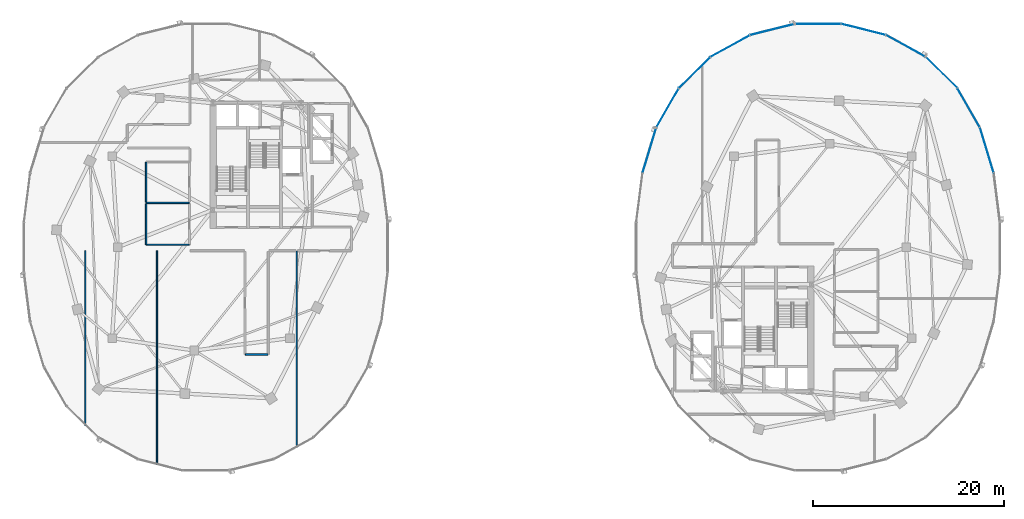
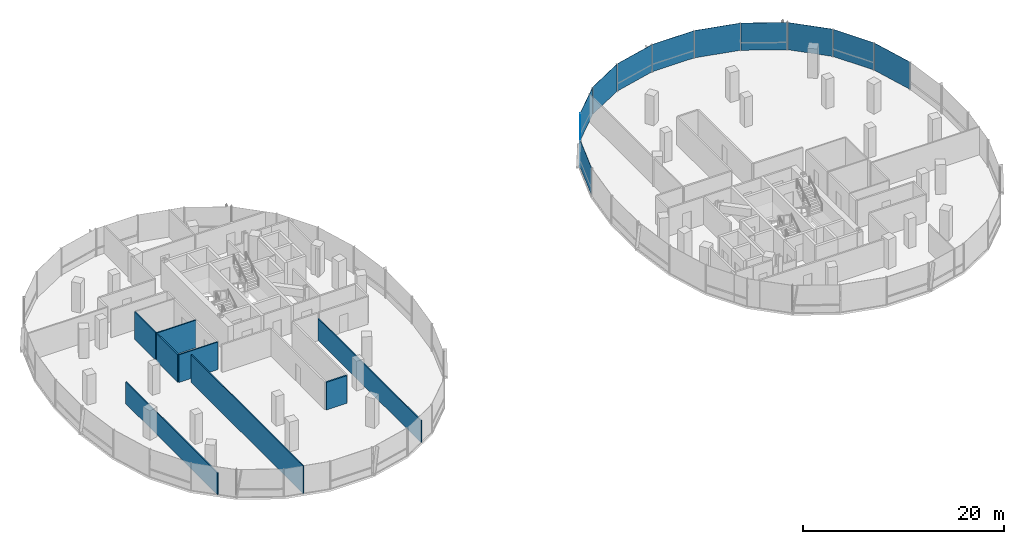
# One storey, part 11 of 22: 11 plates, 8 walls, 2 elements without a shape of their own.
"""IFC4 building model written with IfcOpenShell, lengths in metres."""

from ifc_helpers import new_model, si_unit, direction, frame, frame_2d, origin, origin_2d, place, context, subcontext, project, spatial, rectangle, extrude, material, layer, layer_set, type_object, element, aggregate, save


model = new_model("IFC4")

# Units and contexts
model_context = context("Model", 3, precision=1e-05, world=origin(), true_north=direction((0.0, 1.0)))
body_context = subcontext(model_context, "Body", "Model", "MODEL_VIEW")
ifc_project = project(units=[si_unit("LENGTHUNIT", "METRE"), si_unit("AREAUNIT", "SQUARE_METRE"), si_unit("VOLUMEUNIT", "CUBIC_METRE"), si_unit("PLANEANGLEUNIT", "RADIAN"), si_unit("MASSUNIT", "GRAM", prefix="KILO"), si_unit("THERMODYNAMICTEMPERATUREUNIT", "KELVIN"), si_unit("POWERUNIT", "WATT")], contexts=[model_context])

# Site, building, storey
site_placement = place(None, origin())
site = spatial("IfcSite", under=ifc_project, at=site_placement, CompositionType="ELEMENT")
building_placement = place(site_placement, origin())
building = spatial("IfcBuilding", under=site, at=building_placement, Name="Cundina Bronze Exchange", CompositionType="ELEMENT")
storey_placement = place(building_placement, frame((0.0, 0.0, 140.39990234375)))
storey = spatial("IfcBuildingStorey", under=building, at=storey_placement, Name="L36", CompositionType="ELEMENT", Elevation=140.39990234375)

# Curtain wall, plates
ifc_material_1 = material(Name="Anodised Bronze Aluminium 6063-T6", Category="aluminium")
curtain_wall_type = type_object("IfcCurtainWallType", Name="CWS-WST-PIN", PredefinedType="NOTDEFINED", material=ifc_material_1)
curtain_wall_1_placement = place(storey_placement, origin())
curtain_wall_1 = element("IfcCurtainWall", 1, at=curtain_wall_1_placement, inside=storey, type_object=curtain_wall_type, Name="L36 CW-04 Curtain Wall Run CWR-L36-E1", PredefinedType="NOTDEFINED")
ifc_material_2 = material(Name="Heat-Strengthened Solar-Control Bronze Safety Glass 28mm", Category="glass")
ifc_layer_1 = layer(ifc_material_2, 0.028076171875, Name="Heat-Strengthened Solar-Control Bronze Safety Glass 28mm", Category="glass")
ifc_layer_set_1 = layer_set([ifc_layer_1], Name="Heat-Strengthened Solar-Control Bronze Safety Glass 28mm")
plate_type_1 = type_object("IfcPlateType", Name="PLT-GLZ-VIS28", PredefinedType="CURTAIN_PANEL", material=ifc_layer_set_1)
plate_1_placement = place(storey_placement, frame((49.63330078125, 10.14208984375, 0.02001953125), z_axis=(0.0, 0.0, 1.0), x_axis=(-0.290050843957, 0.957011237092, 0.0)))
plate_1 = element("IfcPlate", 2, at=plate_1_placement, type_object=plate_type_1, Name="CW-04 Glazed Panel 2", PredefinedType="CURTAIN_PANEL", context=body_context, shape_type="SweptSolid", body=[
    extrude(rectangle(XDim=4.885009765625, YDim=0.028076171875, at=origin_2d()), origin(), (0.0, 0.0, 1.0), 3.320068359375),
])
plate_2_placement = place(storey_placement, frame((47.734375, 14.564697265625, 0.02001953125), z_axis=(0.0, 0.0, 1.0), x_axis=(-0.498487739754, 0.866896748936, 0.0)))
plate_2 = element("IfcPlate", 3, at=plate_2_placement, type_object=plate_type_1, Name="CW-04 Glazed Panel 3", PredefinedType="CURTAIN_PANEL", context=body_context, shape_type="SweptSolid", body=[
    extrude(rectangle(XDim=4.676513671875, YDim=0.028076171875, at=origin_2d()), origin(), (0.0, 0.0, 1.0), 3.320068359375),
])
plate_3_placement = place(storey_placement, frame((41.16845703125, 21.02880859375, 0.02001953125), z_axis=(0.0, 0.0, 1.0), x_axis=(-0.875869093438, 0.482548786301, 0.0)))
plate_3 = element("IfcPlate", 4, at=plate_3_placement, type_object=plate_type_1, Name="CW-04 Glazed Panel 5", PredefinedType="CURTAIN_PANEL", context=body_context, shape_type="SweptSolid", body=[
    extrude(rectangle(XDim=4.661865234375, YDim=0.028076171875, at=origin_2d()), origin(), (0.0, 0.0, 1.0), 3.320068359375),
])
plate_4_placement = place(storey_placement, frame((36.76513671875, 22.75244140625, 0.02001953125), z_axis=(0.0, 0.0, 1.0), x_axis=(-0.970092713791, 0.242734683656, 0.0)))
plate_4 = element("IfcPlate", 5, at=plate_4_placement, type_object=plate_type_1, Name="CW-04 Glazed Panel 6", PredefinedType="CURTAIN_PANEL", context=body_context, shape_type="SweptSolid", body=[
    extrude(rectangle(XDim=4.7548828125, YDim=0.028076171875, at=origin_2d()), origin(), (0.0, 0.0, 1.0), 3.320068359375),
])
plate_5_placement = place(storey_placement, frame((32.0, 23.3369140625, 0.02001953125), z_axis=(0.0, 0.0, 1.0), x_axis=(-1.0, 0.0, 0.0)))
plate_5 = element("IfcPlate", 6, at=plate_5_placement, type_object=plate_type_1, Name="CW-04 Glazed Panel 7", PredefinedType="CURTAIN_PANEL", context=body_context, shape_type="SweptSolid", body=[
    extrude(rectangle(XDim=4.7958984375, YDim=0.028076171875, at=origin_2d()), origin(), (0.0, 0.0, 1.0), 3.320068359375),
])

curtain_wall_2_placement = place(storey_placement, origin())
curtain_wall_2 = element("IfcCurtainWall", 7, at=curtain_wall_2_placement, inside=storey, type_object=curtain_wall_type, Name="L36 CW-04 Curtain Wall Run CWR-L36-E2", PredefinedType="NOTDEFINED")
plate_6_placement = place(storey_placement, frame((27.23486328125, 22.75244140625, 0.02001953125), z_axis=(0.0, 0.0, 1.0), x_axis=(-0.970092713791, -0.242734683656, 0.0)))
plate_6 = element("IfcPlate", 8, at=plate_6_placement, type_object=plate_type_1, Name="CW-04 Glazed Panel 1", PredefinedType="CURTAIN_PANEL", context=body_context, shape_type="SweptSolid", body=[
    extrude(rectangle(XDim=4.7548828125, YDim=0.028076171875, at=origin_2d()), origin(), (0.0, 0.0, 1.0), 3.320068359375),
])
plate_7_placement = place(storey_placement, frame((22.83154296875, 21.02880859375, 0.02001953125), z_axis=(0.0, 0.0, 1.0), x_axis=(-0.875869093438, -0.482548786301, 0.0)))
plate_7 = element("IfcPlate", 9, at=plate_7_placement, type_object=plate_type_1, Name="CW-04 Glazed Panel 2", PredefinedType="CURTAIN_PANEL", context=body_context, shape_type="SweptSolid", body=[
    extrude(rectangle(XDim=4.661865234375, YDim=0.028076171875, at=origin_2d()), origin(), (0.0, 0.0, 1.0), 3.320068359375),
])
plate_8_placement = place(storey_placement, frame((16.265625, 14.564697265625, 0.02001953125), z_axis=(0.0, 0.0, 1.0), x_axis=(-0.498487739754, -0.866896748936, 0.0)))
plate_8 = element("IfcPlate", 10, at=plate_8_placement, type_object=plate_type_1, Name="CW-04 Glazed Panel 4", PredefinedType="CURTAIN_PANEL", context=body_context, shape_type="SweptSolid", body=[
    extrude(rectangle(XDim=4.676513671875, YDim=0.028076171875, at=origin_2d()), origin(), (0.0, 0.0, 1.0), 3.320068359375),
])
plate_9_placement = place(storey_placement, frame((14.36669921875, 10.14208984375, 0.02001953125), z_axis=(0.0, 0.0, 1.0), x_axis=(-0.290050843957, -0.957011237092, 0.0)))
plate_9 = element("IfcPlate", 11, at=plate_9_placement, type_object=plate_type_1, Name="CW-04 Glazed Panel 5", PredefinedType="CURTAIN_PANEL", context=body_context, shape_type="SweptSolid", body=[
    extrude(rectangle(XDim=4.885009765625, YDim=0.028076171875, at=origin_2d()), origin(), (0.0, 0.0, 1.0), 3.320068359375),
])

# Plate
ifc_material_3 = material(Name="Dark Bronze Spandrel Glass Panel 32mm", Category="glass")
ifc_layer_2 = layer(ifc_material_3, 0.031982421875, Name="Dark Bronze Spandrel Glass Panel 32mm", Category="glass")
ifc_layer_set_2 = layer_set([ifc_layer_2], Name="Dark Bronze Spandrel Glass Panel 32mm")
plate_type_2 = type_object("IfcPlateType", Name="PLT-SPN-BRZ32", PredefinedType="CURTAIN_PANEL", material=ifc_layer_set_2)
plate_10_placement = place(storey_placement, frame((44.894775390625, 18.253662109375, 0.02001953125), z_axis=(0.0, 0.0, 1.0), x_axis=(-0.711989280367, 0.702190333629, 0.0)))
plate_10 = element("IfcPlate", 12, at=plate_10_placement, type_object=plate_type_2, Name="CW-04 Glazed Panel 4", PredefinedType="CURTAIN_PANEL", context=body_context, shape_type="SweptSolid", body=[
    extrude(rectangle(XDim=4.6025390625, YDim=0.031982421875, at=origin_2d()), origin(), (0.0, 0.0, 1.0), 3.320068359375),
])

aggregate(curtain_wall_1, [plate_1, plate_2, plate_10, plate_3, plate_4, plate_5])

plate_11_placement = place(storey_placement, frame((19.105224609375, 18.253662109375, 0.02001953125), z_axis=(0.0, 0.0, 1.0), x_axis=(-0.711989280367, -0.702190333629, 0.0)))
plate_11 = element("IfcPlate", 13, at=plate_11_placement, type_object=plate_type_2, Name="CW-04 Glazed Panel 3", PredefinedType="CURTAIN_PANEL", context=body_context, shape_type="SweptSolid", body=[
    extrude(rectangle(XDim=4.6025390625, YDim=0.031982421875, at=origin_2d()), origin(), (0.0, 0.0, 1.0), 3.320068359375),
])

aggregate(curtain_wall_2, [plate_6, plate_7, plate_11, plate_8, plate_9])

# Walls
ifc_material_4 = material(Name="Gypsum Fireboard Partition EI120")
ifc_layer_3 = layer(ifc_material_4, 0.179931640625, Name="Gypsum Fireboard Partition EI120")
ifc_layer_set_3 = layer_set([ifc_layer_3], Name="Gypsum Fireboard Partition EI120")
wall_type_1 = type_object("IfcWallType", Name="WL-COR-180", PredefinedType="PARTITIONING", material=ifc_layer_set_3)
wall_1_placement = place(storey_placement, frame((-27.87841796875, -11.219970703125, 0.0), z_axis=(0.0, 0.0, 1.0), x_axis=(1.0, 0.0, 0.0)))
element("IfcWall", 14, at=wall_1_placement, inside=storey, type_object=wall_type_1, Name="L36 Interior Partition 027", PredefinedType="PARTITIONING", context=body_context, shape_type="SweptSolid", body=[
    extrude(rectangle(XDim=2.35693359375, YDim=0.179931640625, at=frame_2d((1.178466796875, 0.0))), origin(), (0.0, 0.0, 1.0), 3.360107421875),
])
ifc_material_5 = material(Name="Gypsum Acoustic Partition EI60")
ifc_layer_4 = layer(ifc_material_5, 0.125, Name="Gypsum Acoustic Partition EI60")
ifc_layer_set_4 = layer_set([ifc_layer_4], Name="Gypsum Acoustic Partition EI60")
wall_type_2 = type_object("IfcWallType", Name="WL-OFF-125", PredefinedType="PARTITIONING", material=ifc_layer_set_4)
wall_2_placement = place(storey_placement, frame((-44.60009765625, -18.643798828125, 0.0), z_axis=(0.0, 0.0, 1.0), x_axis=(0.0, 1.0, 0.0)))
element("IfcWall", 15, at=wall_2_placement, inside=storey, type_object=wall_type_2, Name="L36 Interior Partition 016", PredefinedType="PARTITIONING", context=body_context, shape_type="SweptSolid", body=[
    extrude(rectangle(XDim=18.273681640625, YDim=0.125, at=frame_2d((9.13671875, 0.0))), origin(), (0.0, 0.0, 1.0), 2.6650390625),
])
wall_3_placement = place(storey_placement, frame((-37.10009765625, -22.736328125, 0.0), z_axis=(0.0, 0.0, 1.0), x_axis=(0.0, 1.0, 0.0)))
element("IfcWall", 16, at=wall_3_placement, inside=storey, type_object=wall_type_2, Name="L36 Interior Partition 017", PredefinedType="PARTITIONING", context=body_context, shape_type="SweptSolid", body=[
    extrude(rectangle(XDim=22.3662109375, YDim=0.125, at=frame_2d((11.18310546875, 0.0))), origin(), (0.0, 0.0, 1.0), 3.360107421875),
])
wall_4_placement = place(storey_placement, frame((-22.5, -20.923095703125, 0.0), z_axis=(0.0, 0.0, 1.0), x_axis=(0.0, 1.0, 0.0)))
element("IfcWall", 17, at=wall_4_placement, inside=storey, type_object=wall_type_2, Name="L36 Interior Partition 018", PredefinedType="PARTITIONING", context=body_context, shape_type="SweptSolid", body=[
    extrude(rectangle(XDim=20.523193359375, YDim=0.125, at=frame_2d((10.26171875, 0.0))), origin(), (0.0, 0.0, 1.0), 2.6650390625),
])
ifc_material_6 = material(Name="Moisture-Resistant Masonry Block Grade M15", Category="masonry")
ifc_layer_5 = layer(ifc_material_6, 0.139892578125, Name="Moisture-Resistant Masonry Block Grade M15", Category="masonry")
ifc_layer_set_5 = layer_set([ifc_layer_5], Name="Moisture-Resistant Masonry Block Grade M15")
wall_type_3 = type_object("IfcWallType", Name="WL-WET-140", PredefinedType="PARTITIONING", material=ifc_layer_set_5)
wall_5_placement = place(storey_placement, frame((-38.239990234375, 0.27001953125, 0.0), z_axis=(0.0, 0.0, 1.0), x_axis=(0.0, 1.0, 0.0)))
element("IfcWall", 18, at=wall_5_placement, inside=storey, type_object=wall_type_3, Name="L36 Interior Partition 009", PredefinedType="PARTITIONING", context=body_context, shape_type="SweptSolid", body=[
    extrude(rectangle(XDim=4.27490234375, YDim=0.139892578125, at=frame_2d((2.137451171875, 0.0))), origin(), (0.0, 0.0, 1.0), 3.360107421875),
])
wall_6_placement = place(storey_placement, frame((-38.239990234375, 4.715087890625, 0.0), z_axis=(0.0, 0.0, 1.0), x_axis=(0.0, 1.0, 0.0)))
element("IfcWall", 19, at=wall_6_placement, inside=storey, type_object=wall_type_3, Name="L36 Interior Partition 010", PredefinedType="PARTITIONING", context=body_context, shape_type="SweptSolid", body=[
    extrude(rectangle(XDim=4.1748046875, YDim=0.139892578125, at=frame_2d((2.08740234375, 0.0))), origin(), (0.0, 0.0, 1.0), 3.360107421875),
])
for number, where, z_axis, x_axis, name in (
    (20, (-38.219970703125, 0.25, 0.0), (0.0, 0.0, 1.0), (1.0, 0.0, 0.0), "L36 Interior Partition 011"),
    (21, (-38.219970703125, 4.6298828125, 0.0), (0.0, 0.0, 1.0), (1.0, 0.0, 0.0), "L36 Interior Partition 012"),
):
    element("IfcWall", number, at=place(storey_placement, frame(where, z_axis=z_axis, x_axis=x_axis)), inside=storey, type_object=wall_type_3, Name=name, PredefinedType="PARTITIONING", context=body_context, shape_type="SweptSolid", body=[
        extrude(rectangle(XDim=4.47998046875, YDim=0.139892578125, at=frame_2d((2.239990234375, 0.0))), origin(), (0.0, 0.0, 1.0), 3.360107421875),
    ])

save(model, "model.ifc")
